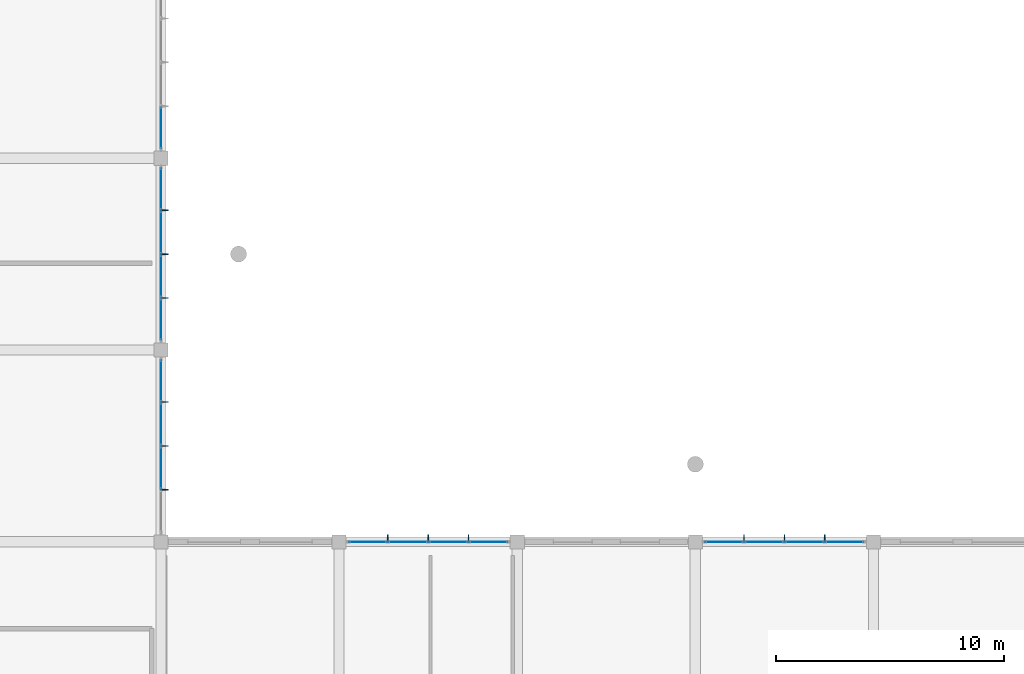
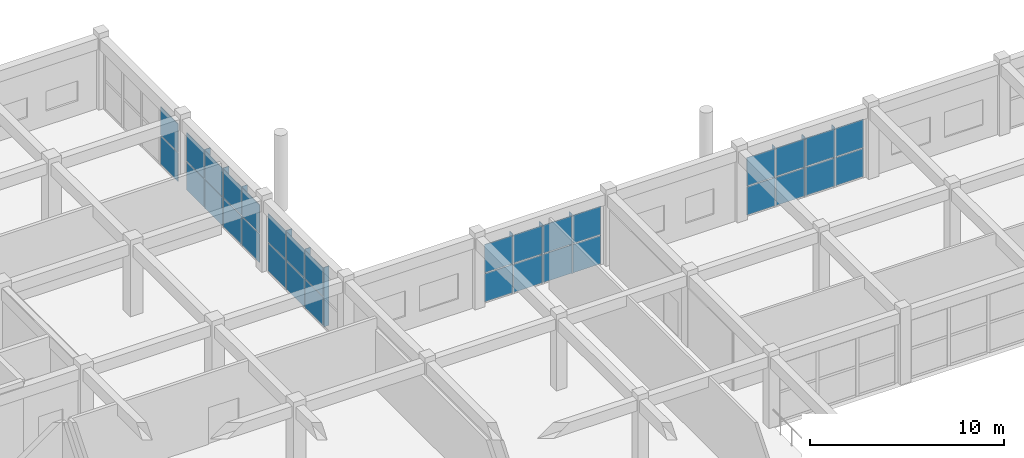
# One storey, part 143 of 167: 44 plates, 5 elements without a shape of their own.
"""IFC4 building model written with IfcOpenShell, lengths in metres."""

from ifc_helpers import new_model, si_unit, direction, frame, origin, origin_2d, place, context, subcontext, project, spatial, polyline, rectangle, outline, extrude, material, layer, layer_set, type_object, element, aggregate, save


model = new_model("IFC4")

# Units and contexts
model_context = context("Model", 3, precision=1e-05, world=origin(), true_north=direction((0.0, 1.0)))
body_context = subcontext(model_context, "Body", "Model", "MODEL_VIEW")
ifc_project = project(units=[si_unit("LENGTHUNIT", "METRE"), si_unit("AREAUNIT", "SQUARE_METRE"), si_unit("VOLUMEUNIT", "CUBIC_METRE"), si_unit("PLANEANGLEUNIT", "RADIAN"), si_unit("MASSUNIT", "GRAM", prefix="KILO")], contexts=[model_context])

# Site, building, storey
site_placement = place(None, origin())
site = spatial("IfcSite", under=ifc_project, at=site_placement, CompositionType="ELEMENT")
building_placement = place(site_placement, origin())
building = spatial("IfcBuilding", under=site, at=building_placement, Name="Zizhar Promenade General Hospital", CompositionType="ELEMENT")
storey_placement = place(building_placement, frame((0.0, 0.0, 9.60009765625)))
storey = spatial("IfcBuildingStorey", under=building, at=storey_placement, Name="L02", CompositionType="ELEMENT", Elevation=9.60009765625)

# Curtain wall, plates
ifc_material_1 = material(Name="Anodised aluminium 6063-T6 and low-E glass", Category="aluminium")
ifc_layer_1 = layer(ifc_material_1, 0.159912109375)
ifc_layer_set_1 = layer_set([ifc_layer_1], Name="Anodised aluminium 6063-T6 and low-E glass")
curtain_wall_type_1 = type_object("IfcCurtainWallType", Name="CW-DT-MOD1", PredefinedType="NOTDEFINED", material=ifc_layer_set_1)
curtain_wall_1_placement = place(storey_placement, origin())
curtain_wall_1 = element("IfcCurtainWall", 1, at=curtain_wall_1_placement, inside=storey, type_object=curtain_wall_type_1, Name="Surgical East Glazed Curtain Wall L02-13", PredefinedType="NOTDEFINED")
ifc_material_2 = material(Name="Low-E solar-control glass", Category="glass")
ifc_layer_2 = layer(ifc_material_2, 0.031982421875)
ifc_layer_set_2 = layer_set([ifc_layer_2], Name="Low-E solar-control glass")
plate_type_1 = type_object("IfcPlateType", Name="CWP-GLZ-32", PredefinedType="CURTAIN_PANEL", material=ifc_layer_set_2)
plate_1_placement = place(storey_placement, frame((132.60009765625, 116.260009765625, 0.06005859375), z_axis=(0.0, 0.0, 1.0), x_axis=(0.0, -1.0, 0.0)))
plate_1 = element("IfcPlate", 2, at=plate_1_placement, type_object=plate_type_1, Name="CW-07 panel 1.1", PredefinedType="CURTAIN_PANEL", context=body_context, shape_type="SweptSolid", body=[
    extrude(rectangle(XDim=1.800048828125, YDim=0.031982421875, at=origin_2d()), origin(), (0.0, 0.0, 1.0), 1.77490234375),
])
plate_2_placement = place(storey_placement, frame((132.60009765625, 116.260009765625, 1.89501953125), z_axis=(0.0, 0.0, 1.0), x_axis=(0.0, -1.0, 0.0)))
plate_2 = element("IfcPlate", 3, at=plate_2_placement, type_object=plate_type_1, Name="CW-07 panel 1.2", PredefinedType="CURTAIN_PANEL", context=body_context, shape_type="SweptSolid", body=[
    extrude(rectangle(XDim=1.800048828125, YDim=0.031982421875, at=origin_2d()), origin(), (0.0, 0.0, 1.0), 1.77490234375),
])
plate_3_placement = place(storey_placement, frame((132.60009765625, 114.360107421875, 0.06005859375), z_axis=(0.0, 0.0, 1.0), x_axis=(0.0, -1.0, 0.0)))
plate_3 = element("IfcPlate", 4, at=plate_3_placement, type_object=plate_type_1, Name="CW-07 panel 2.1", PredefinedType="CURTAIN_PANEL", context=body_context, shape_type="SweptSolid", body=[
    extrude(rectangle(XDim=1.840087890625, YDim=0.031982421875, at=origin_2d()), origin(), (0.0, 0.0, 1.0), 1.77490234375),
])
plate_4_placement = place(storey_placement, frame((132.60009765625, 114.360107421875, 1.89501953125), z_axis=(0.0, 0.0, 1.0), x_axis=(0.0, -1.0, 0.0)))
plate_4 = element("IfcPlate", 5, at=plate_4_placement, type_object=plate_type_1, Name="CW-07 panel 2.2", PredefinedType="CURTAIN_PANEL", context=body_context, shape_type="SweptSolid", body=[
    extrude(rectangle(XDim=1.840087890625, YDim=0.031982421875, at=origin_2d()), origin(), (0.0, 0.0, 1.0), 1.77490234375),
])
plate_5_placement = place(storey_placement, frame((132.60009765625, 112.43994140625, 0.06005859375), z_axis=(0.0, 0.0, 1.0), x_axis=(0.0, -1.0, 0.0)))
plate_5 = element("IfcPlate", 6, at=plate_5_placement, type_object=plate_type_1, Name="CW-07 panel 3.1", PredefinedType="CURTAIN_PANEL", context=body_context, shape_type="SweptSolid", body=[
    extrude(rectangle(XDim=1.840087890625, YDim=0.031982421875, at=origin_2d()), origin(), (0.0, 0.0, 1.0), 1.77490234375),
])
plate_6_placement = place(storey_placement, frame((132.60009765625, 112.43994140625, 1.89501953125), z_axis=(0.0, 0.0, 1.0), x_axis=(0.0, -1.0, 0.0)))
plate_6 = element("IfcPlate", 7, at=plate_6_placement, type_object=plate_type_1, Name="CW-07 panel 3.2", PredefinedType="CURTAIN_PANEL", context=body_context, shape_type="SweptSolid", body=[
    extrude(rectangle(XDim=1.840087890625, YDim=0.031982421875, at=origin_2d()), origin(), (0.0, 0.0, 1.0), 1.77490234375),
])
aggregate(curtain_wall_1, [plate_1, plate_2, plate_3, plate_4, plate_5, plate_6])

curtain_wall_2_placement = place(storey_placement, origin())
curtain_wall_2 = element("IfcCurtainWall", 8, at=curtain_wall_2_placement, inside=storey, type_object=curtain_wall_type_1, Name="Surgical East Glazed Curtain Wall L02-14", PredefinedType="NOTDEFINED")
plate_7_placement = place(storey_placement, frame((132.60009765625, 124.659912109375, 0.06005859375), z_axis=(0.0, 0.0, 1.0), x_axis=(0.0, -1.0, 0.0)))
plate_7 = element("IfcPlate", 9, at=plate_7_placement, type_object=plate_type_1, Name="CW-07 panel 1.1", PredefinedType="CURTAIN_PANEL", context=body_context, shape_type="SweptSolid", body=[
    extrude(rectangle(XDim=1.800048828125, YDim=0.031982421875, at=origin_2d()), origin(), (0.0, 0.0, 1.0), 1.77490234375),
])
plate_8_placement = place(storey_placement, frame((132.60009765625, 124.659912109375, 1.89501953125), z_axis=(0.0, 0.0, 1.0), x_axis=(0.0, -1.0, 0.0)))
plate_8 = element("IfcPlate", 10, at=plate_8_placement, type_object=plate_type_1, Name="CW-07 panel 1.2", PredefinedType="CURTAIN_PANEL", context=body_context, shape_type="SweptSolid", body=[
    extrude(rectangle(XDim=1.800048828125, YDim=0.031982421875, at=origin_2d()), origin(), (0.0, 0.0, 1.0), 1.77490234375),
])
plate_9_placement = place(storey_placement, frame((132.60009765625, 122.760009765625, 0.06005859375), z_axis=(0.0, 0.0, 1.0), x_axis=(0.0, -1.0, 0.0)))
plate_9 = element("IfcPlate", 11, at=plate_9_placement, type_object=plate_type_1, Name="CW-07 panel 2.1", PredefinedType="CURTAIN_PANEL", context=body_context, shape_type="SweptSolid", body=[
    extrude(rectangle(XDim=1.840087890625, YDim=0.031982421875, at=origin_2d()), origin(), (0.0, 0.0, 1.0), 1.77490234375),
])
plate_10_placement = place(storey_placement, frame((132.60009765625, 122.760009765625, 1.89501953125), z_axis=(0.0, 0.0, 1.0), x_axis=(0.0, -1.0, 0.0)))
plate_10 = element("IfcPlate", 12, at=plate_10_placement, type_object=plate_type_1, Name="CW-07 panel 2.2", PredefinedType="CURTAIN_PANEL", context=body_context, shape_type="SweptSolid", body=[
    extrude(rectangle(XDim=1.840087890625, YDim=0.031982421875, at=origin_2d()), origin(), (0.0, 0.0, 1.0), 1.77490234375),
])
plate_11_placement = place(storey_placement, frame((132.60009765625, 120.840087890625, 0.06005859375), z_axis=(0.0, 0.0, 1.0), x_axis=(0.0, -1.0, 0.0)))
plate_11 = element("IfcPlate", 13, at=plate_11_placement, type_object=plate_type_1, Name="CW-07 panel 3.1", PredefinedType="CURTAIN_PANEL", context=body_context, shape_type="SweptSolid", body=[
    extrude(rectangle(XDim=1.840087890625, YDim=0.031982421875, at=origin_2d()), origin(), (0.0, 0.0, 1.0), 1.77490234375),
])
plate_12_placement = place(storey_placement, frame((132.60009765625, 120.840087890625, 1.89501953125), z_axis=(0.0, 0.0, 1.0), x_axis=(0.0, -1.0, 0.0)))
plate_12 = element("IfcPlate", 14, at=plate_12_placement, type_object=plate_type_1, Name="CW-07 panel 3.2", PredefinedType="CURTAIN_PANEL", context=body_context, shape_type="SweptSolid", body=[
    extrude(rectangle(XDim=1.840087890625, YDim=0.031982421875, at=origin_2d()), origin(), (0.0, 0.0, 1.0), 1.77490234375),
])
plate_13_placement = place(storey_placement, frame((132.60009765625, 118.93994140625, 0.06005859375), z_axis=(0.0, 0.0, 1.0), x_axis=(0.0, -1.0, 0.0)))
plate_13 = element("IfcPlate", 15, at=plate_13_placement, type_object=plate_type_1, Name="CW-07 panel 4.1", PredefinedType="CURTAIN_PANEL", context=body_context, shape_type="SweptSolid", body=[
    extrude(rectangle(XDim=1.800048828125, YDim=0.031982421875, at=origin_2d()), origin(), (0.0, 0.0, 1.0), 1.77490234375),
])
plate_14_placement = place(storey_placement, frame((132.60009765625, 118.93994140625, 1.89501953125), z_axis=(0.0, 0.0, 1.0), x_axis=(0.0, -1.0, 0.0)))
plate_14 = element("IfcPlate", 16, at=plate_14_placement, type_object=plate_type_1, Name="CW-07 panel 4.2", PredefinedType="CURTAIN_PANEL", context=body_context, shape_type="SweptSolid", body=[
    extrude(rectangle(XDim=1.800048828125, YDim=0.031982421875, at=origin_2d()), origin(), (0.0, 0.0, 1.0), 1.77490234375),
])
aggregate(curtain_wall_2, [plate_7, plate_8, plate_9, plate_10, plate_11, plate_12, plate_13, plate_14])

curtain_wall_3_placement = place(storey_placement, origin())
curtain_wall_3 = element("IfcCurtainWall", 17, at=curtain_wall_3_placement, inside=storey, type_object=curtain_wall_type_1, Name="Surgical East Glazed Curtain Wall L02-15", PredefinedType="NOTDEFINED")
plate_15_placement = place(storey_placement, frame((132.60009765625, 127.340087890625, 0.06005859375), z_axis=(0.0, 0.0, 1.0), x_axis=(0.0, -1.0, 0.0)))
plate_15 = element("IfcPlate", 18, at=plate_15_placement, type_object=plate_type_1, Name="CW-07 panel 4.1", PredefinedType="CURTAIN_PANEL", context=body_context, shape_type="SweptSolid", body=[
    extrude(rectangle(XDim=1.800048828125, YDim=0.031982421875, at=origin_2d()), origin(), (0.0, 0.0, 1.0), 1.77490234375),
])
plate_16_placement = place(storey_placement, frame((132.60009765625, 127.340087890625, 1.89501953125), z_axis=(0.0, 0.0, 1.0), x_axis=(0.0, -1.0, 0.0)))
plate_16 = element("IfcPlate", 19, at=plate_16_placement, type_object=plate_type_1, Name="CW-07 panel 4.2", PredefinedType="CURTAIN_PANEL", context=body_context, shape_type="SweptSolid", body=[
    extrude(rectangle(XDim=1.800048828125, YDim=0.031982421875, at=origin_2d()), origin(), (0.0, 0.0, 1.0), 1.77490234375),
])
aggregate(curtain_wall_3, [plate_15, plate_16])

ifc_material_3 = material(Name="Anodised aluminium 6063-T6 and low-E glass", Category="aluminium")
ifc_layer_3 = layer(ifc_material_3, 0.159912109375)
ifc_layer_set_3 = layer_set([ifc_layer_3], Name="Anodised aluminium 6063-T6 and low-E glass")
curtain_wall_type_2 = type_object("IfcCurtainWallType", Name="CW-CLN-EXT", PredefinedType="NOTDEFINED", material=ifc_layer_set_3)
curtain_wall_4_placement = place(storey_placement, origin())
curtain_wall_4 = element("IfcCurtainWall", 20, at=curtain_wall_4_placement, inside=storey, type_object=curtain_wall_type_2, Name="Outpatient North Curtain Wall L02-18", PredefinedType="NOTDEFINED")
plate_17_placement = place(storey_placement, frame((141.6650390625, 109.199951171875, 0.06005859375), z_axis=(0.0, 0.0, 1.0), x_axis=(1.0, 0.0, 0.0)))
plate_17 = element("IfcPlate", 21, at=plate_17_placement, type_object=plate_type_1, Name="CW-09 panel 1.1", PredefinedType="CURTAIN_PANEL", context=body_context, shape_type="SweptSolid", body=[
    extrude(rectangle(XDim=1.64990234375, YDim=0.031982421875, at=origin_2d()), origin(), (0.0, 0.0, 1.0), 1.77490234375),
])
plate_18_placement = place(storey_placement, frame((141.6650390625, 109.199951171875, 1.89501953125), z_axis=(0.0, 0.0, 1.0), x_axis=(1.0, 0.0, 0.0)))
plate_18 = element("IfcPlate", 22, at=plate_18_placement, type_object=plate_type_1, Name="CW-09 panel 1.2", PredefinedType="CURTAIN_PANEL", context=body_context, shape_type="SweptSolid", body=[
    extrude(rectangle(XDim=1.64990234375, YDim=0.031982421875, at=origin_2d()), origin(), (0.0, 0.0, 1.0), 1.77490234375),
])
plate_19_placement = place(storey_placement, frame((143.4150390625, 109.199951171875, 0.06005859375), z_axis=(0.0, 0.0, 1.0), x_axis=(1.0, 0.0, 0.0)))
plate_19 = element("IfcPlate", 23, at=plate_19_placement, type_object=plate_type_1, Name="CW-09 panel 2.1", PredefinedType="CURTAIN_PANEL", context=body_context, shape_type="SweptSolid", body=[
    extrude(rectangle(XDim=1.68994140625, YDim=0.031982421875, at=origin_2d()), origin(), (0.0, 0.0, 1.0), 1.77490234375),
])
plate_20_placement = place(storey_placement, frame((143.4150390625, 109.199951171875, 1.89501953125), z_axis=(0.0, 0.0, 1.0), x_axis=(1.0, 0.0, 0.0)))
plate_20 = element("IfcPlate", 24, at=plate_20_placement, type_object=plate_type_1, Name="CW-09 panel 2.2", PredefinedType="CURTAIN_PANEL", context=body_context, shape_type="SweptSolid", body=[
    extrude(rectangle(XDim=1.68994140625, YDim=0.031982421875, at=origin_2d()), origin(), (0.0, 0.0, 1.0), 1.77490234375),
])
plate_21_placement = place(storey_placement, frame((145.18505859375, 109.199951171875, 0.06005859375), z_axis=(0.0, 0.0, 1.0), x_axis=(1.0, 0.0, 0.0)))
plate_21 = element("IfcPlate", 25, at=plate_21_placement, type_object=plate_type_1, Name="CW-09 panel 3.1", PredefinedType="CURTAIN_PANEL", context=body_context, shape_type="SweptSolid", body=[
    extrude(rectangle(XDim=1.68994140625, YDim=0.031982421875, at=origin_2d()), origin(), (0.0, 0.0, 1.0), 1.77490234375),
])
plate_22_placement = place(storey_placement, frame((145.18505859375, 109.199951171875, 1.89501953125), z_axis=(0.0, 0.0, 1.0), x_axis=(1.0, 0.0, 0.0)))
plate_22 = element("IfcPlate", 26, at=plate_22_placement, type_object=plate_type_1, Name="CW-09 panel 3.2", PredefinedType="CURTAIN_PANEL", context=body_context, shape_type="SweptSolid", body=[
    extrude(rectangle(XDim=1.68994140625, YDim=0.031982421875, at=origin_2d()), origin(), (0.0, 0.0, 1.0), 1.77490234375),
])
plate_23_placement = place(storey_placement, frame((146.93505859375, 109.199951171875, 0.06005859375), z_axis=(0.0, 0.0, 1.0), x_axis=(1.0, 0.0, 0.0)))
plate_23 = element("IfcPlate", 27, at=plate_23_placement, type_object=plate_type_1, Name="CW-09 panel 4.1", PredefinedType="CURTAIN_PANEL", context=body_context, shape_type="SweptSolid", body=[
    extrude(rectangle(XDim=1.64990234375, YDim=0.031982421875, at=origin_2d()), origin(), (0.0, 0.0, 1.0), 1.77490234375),
])
plate_24_placement = place(storey_placement, frame((146.93505859375, 109.199951171875, 1.89501953125), z_axis=(0.0, 0.0, 1.0), x_axis=(1.0, 0.0, 0.0)))
plate_24 = element("IfcPlate", 28, at=plate_24_placement, type_object=plate_type_1, Name="CW-09 panel 4.2", PredefinedType="CURTAIN_PANEL", context=body_context, shape_type="SweptSolid", body=[
    extrude(rectangle(XDim=1.64990234375, YDim=0.031982421875, at=origin_2d()), origin(), (0.0, 0.0, 1.0), 1.77490234375),
])
aggregate(curtain_wall_4, [plate_17, plate_18, plate_19, plate_20, plate_21, plate_22, plate_23, plate_24])

curtain_wall_5_placement = place(storey_placement, origin())
curtain_wall_5 = element("IfcCurtainWall", 29, at=curtain_wall_5_placement, inside=storey, type_object=curtain_wall_type_2, Name="Outpatient North Curtain Wall L02-20", PredefinedType="NOTDEFINED")
plate_25_placement = place(storey_placement, frame((157.264892578125, 109.199951171875, 0.06005859375), z_axis=(0.0, 0.0, 1.0), x_axis=(1.0, 0.0, 0.0)))
plate_25 = element("IfcPlate", 30, at=plate_25_placement, type_object=plate_type_1, Name="CW-09 panel 1.1", PredefinedType="CURTAIN_PANEL", context=body_context, shape_type="SweptSolid", body=[
    extrude(rectangle(XDim=1.64990234375, YDim=0.031982421875, at=origin_2d()), origin(), (0.0, 0.0, 1.0), 1.77490234375),
])
plate_26_placement = place(storey_placement, frame((157.264892578125, 109.199951171875, 1.89501953125), z_axis=(0.0, 0.0, 1.0), x_axis=(1.0, 0.0, 0.0)))
plate_26 = element("IfcPlate", 31, at=plate_26_placement, type_object=plate_type_1, Name="CW-09 panel 1.2", PredefinedType="CURTAIN_PANEL", context=body_context, shape_type="SweptSolid", body=[
    extrude(rectangle(XDim=1.64990234375, YDim=0.031982421875, at=origin_2d()), origin(), (0.0, 0.0, 1.0), 1.77490234375),
])
plate_27_placement = place(storey_placement, frame((159.014892578125, 109.199951171875, 0.06005859375), z_axis=(0.0, 0.0, 1.0), x_axis=(1.0, 0.0, 0.0)))
plate_27 = element("IfcPlate", 32, at=plate_27_placement, type_object=plate_type_1, Name="CW-09 panel 2.1", PredefinedType="CURTAIN_PANEL", context=body_context, shape_type="SweptSolid", body=[
    extrude(rectangle(XDim=1.68994140625, YDim=0.031982421875, at=origin_2d()), origin(), (0.0, 0.0, 1.0), 1.77490234375),
])
plate_28_placement = place(storey_placement, frame((159.014892578125, 109.199951171875, 1.89501953125), z_axis=(0.0, 0.0, 1.0), x_axis=(1.0, 0.0, 0.0)))
plate_28 = element("IfcPlate", 33, at=plate_28_placement, type_object=plate_type_1, Name="CW-09 panel 2.2", PredefinedType="CURTAIN_PANEL", context=body_context, shape_type="SweptSolid", body=[
    extrude(rectangle(XDim=1.68994140625, YDim=0.031982421875, at=origin_2d()), origin(), (0.0, 0.0, 1.0), 1.77490234375),
])
plate_29_placement = place(storey_placement, frame((160.784912109375, 109.199951171875, 0.06005859375), z_axis=(0.0, 0.0, 1.0), x_axis=(1.0, 0.0, 0.0)))
plate_29 = element("IfcPlate", 34, at=plate_29_placement, type_object=plate_type_1, Name="CW-09 panel 3.1", PredefinedType="CURTAIN_PANEL", context=body_context, shape_type="SweptSolid", body=[
    extrude(rectangle(XDim=1.68994140625, YDim=0.031982421875, at=origin_2d()), origin(), (0.0, 0.0, 1.0), 1.77490234375),
])
plate_30_placement = place(storey_placement, frame((160.784912109375, 109.199951171875, 1.89501953125), z_axis=(0.0, 0.0, 1.0), x_axis=(1.0, 0.0, 0.0)))
plate_30 = element("IfcPlate", 35, at=plate_30_placement, type_object=plate_type_1, Name="CW-09 panel 3.2", PredefinedType="CURTAIN_PANEL", context=body_context, shape_type="SweptSolid", body=[
    extrude(rectangle(XDim=1.68994140625, YDim=0.031982421875, at=origin_2d()), origin(), (0.0, 0.0, 1.0), 1.77490234375),
])
plate_31_placement = place(storey_placement, frame((162.534912109375, 109.199951171875, 0.06005859375), z_axis=(0.0, 0.0, 1.0), x_axis=(1.0, 0.0, 0.0)))
plate_31 = element("IfcPlate", 36, at=plate_31_placement, type_object=plate_type_1, Name="CW-09 panel 4.1", PredefinedType="CURTAIN_PANEL", context=body_context, shape_type="SweptSolid", body=[
    extrude(rectangle(XDim=1.64990234375, YDim=0.031982421875, at=origin_2d()), origin(), (0.0, 0.0, 1.0), 1.77490234375),
])
plate_32_placement = place(storey_placement, frame((162.534912109375, 109.199951171875, 1.89501953125), z_axis=(0.0, 0.0, 1.0), x_axis=(1.0, 0.0, 0.0)))
plate_32 = element("IfcPlate", 37, at=plate_32_placement, type_object=plate_type_1, Name="CW-09 panel 4.2", PredefinedType="CURTAIN_PANEL", context=body_context, shape_type="SweptSolid", body=[
    extrude(rectangle(XDim=1.64990234375, YDim=0.031982421875, at=origin_2d()), origin(), (0.0, 0.0, 1.0), 1.77490234375),
])
aggregate(curtain_wall_5, [plate_25, plate_26, plate_27, plate_28, plate_29, plate_30, plate_31, plate_32])

# Plates
ifc_material_4 = material(Name="Anodised aluminium 6063-T6", Category="aluminium")
ifc_layer_4 = layer(ifc_material_4, 0.033935546875)
ifc_layer_set_4 = layer_set([ifc_layer_4], Name="Anodised aluminium 6063-T6")
plate_type_2 = type_object("IfcPlateType", Name="FIN-ALU-320", PredefinedType="USERDEFINED", material=ifc_layer_set_4)
plate_33_placement = place(storey_placement, origin())
element("IfcPlate", 38, at=plate_33_placement, inside=storey, type_object=plate_type_2, Name="Surgical East Glazed Curtain Wall L02-13 Solar Fin 1", ObjectType="SOLAR_SHADE", PredefinedType="USERDEFINED", context=body_context, shape_type="SweptSolid", body=[
    extrude(outline(polyline([(132.60009765625, 115.3369140625), (132.60009765625, 115.302978515625), (132.919921875, 115.302978515625), (132.919921875, 115.3369140625), (132.60009765625, 115.3369140625)])), origin(), (0.0, 0.0, 1.0), 3.72998046875),
])
plate_34_placement = place(storey_placement, origin())
element("IfcPlate", 39, at=plate_34_placement, inside=storey, type_object=plate_type_2, Name="Surgical East Glazed Curtain Wall L02-13 Solar Fin 2", ObjectType="SOLAR_SHADE", PredefinedType="USERDEFINED", context=body_context, shape_type="SweptSolid", body=[
    extrude(outline(polyline([(132.60009765625, 113.4169921875), (132.60009765625, 113.383056640625), (132.919921875, 113.383056640625), (132.919921875, 113.4169921875), (132.60009765625, 113.4169921875)])), origin(), (0.0, 0.0, 1.0), 3.72998046875),
])
plate_35_placement = place(storey_placement, origin())
element("IfcPlate", 40, at=plate_35_placement, inside=storey, type_object=plate_type_2, Name="Surgical East Glazed Curtain Wall L02-13 Solar Fin 3", ObjectType="SOLAR_SHADE", PredefinedType="USERDEFINED", context=body_context, shape_type="SweptSolid", body=[
    extrude(outline(polyline([(132.60009765625, 111.4970703125), (132.60009765625, 111.462890625), (132.919921875, 111.462890625), (132.919921875, 111.4970703125), (132.60009765625, 111.4970703125)])), origin(), (0.0, 0.0, 1.0), 3.72998046875),
])
plate_36_placement = place(storey_placement, origin())
element("IfcPlate", 41, at=plate_36_placement, inside=storey, type_object=plate_type_2, Name="Surgical East Glazed Curtain Wall L02-14 Solar Fin 1", ObjectType="SOLAR_SHADE", PredefinedType="USERDEFINED", context=body_context, shape_type="SweptSolid", body=[
    extrude(outline(polyline([(132.60009765625, 123.737060546875), (132.60009765625, 123.702880859375), (132.919921875, 123.702880859375), (132.919921875, 123.737060546875), (132.60009765625, 123.737060546875)])), origin(), (0.0, 0.0, 1.0), 3.72998046875),
])
plate_37_placement = place(storey_placement, origin())
element("IfcPlate", 42, at=plate_37_placement, inside=storey, type_object=plate_type_2, Name="Surgical East Glazed Curtain Wall L02-14 Solar Fin 2", ObjectType="SOLAR_SHADE", PredefinedType="USERDEFINED", context=body_context, shape_type="SweptSolid", body=[
    extrude(outline(polyline([(132.60009765625, 121.81689453125), (132.60009765625, 121.782958984375), (132.919921875, 121.782958984375), (132.919921875, 121.81689453125), (132.60009765625, 121.81689453125)])), origin(), (0.0, 0.0, 1.0), 3.72998046875),
])
plate_38_placement = place(storey_placement, origin())
element("IfcPlate", 43, at=plate_38_placement, inside=storey, type_object=plate_type_2, Name="Surgical East Glazed Curtain Wall L02-14 Solar Fin 3", ObjectType="SOLAR_SHADE", PredefinedType="USERDEFINED", context=body_context, shape_type="SweptSolid", body=[
    extrude(outline(polyline([(132.60009765625, 119.89697265625), (132.60009765625, 119.863037109375), (132.919921875, 119.863037109375), (132.919921875, 119.89697265625), (132.60009765625, 119.89697265625)])), origin(), (0.0, 0.0, 1.0), 3.72998046875),
])
plate_39_placement = place(storey_placement, origin())
element("IfcPlate", 44, at=plate_39_placement, inside=storey, type_object=plate_type_2, Name="Outpatient North Curtain Wall L02-18 Solar Fin 1", ObjectType="SOLAR_SHADE", PredefinedType="USERDEFINED", context=body_context, shape_type="SweptSolid", body=[
    extrude(outline(polyline([(142.512939453125, 109.199951171875), (142.547119140625, 109.199951171875), (142.547119140625, 109.52001953125), (142.512939453125, 109.52001953125), (142.512939453125, 109.199951171875)])), origin(), (0.0, 0.0, 1.0), 3.72998046875),
])
plate_40_placement = place(storey_placement, origin())
element("IfcPlate", 45, at=plate_40_placement, inside=storey, type_object=plate_type_2, Name="Outpatient North Curtain Wall L02-18 Solar Fin 2", ObjectType="SOLAR_SHADE", PredefinedType="USERDEFINED", context=body_context, shape_type="SweptSolid", body=[
    extrude(outline(polyline([(144.282958984375, 109.199951171875), (144.31689453125, 109.199951171875), (144.31689453125, 109.52001953125), (144.282958984375, 109.52001953125), (144.282958984375, 109.199951171875)])), origin(), (0.0, 0.0, 1.0), 3.72998046875),
])
plate_41_placement = place(storey_placement, origin())
element("IfcPlate", 46, at=plate_41_placement, inside=storey, type_object=plate_type_2, Name="Outpatient North Curtain Wall L02-18 Solar Fin 3", ObjectType="SOLAR_SHADE", PredefinedType="USERDEFINED", context=body_context, shape_type="SweptSolid", body=[
    extrude(outline(polyline([(146.052978515625, 109.199951171875), (146.0869140625, 109.199951171875), (146.0869140625, 109.52001953125), (146.052978515625, 109.52001953125), (146.052978515625, 109.199951171875)])), origin(), (0.0, 0.0, 1.0), 3.72998046875),
])
plate_42_placement = place(storey_placement, origin())
element("IfcPlate", 47, at=plate_42_placement, inside=storey, type_object=plate_type_2, Name="Outpatient North Curtain Wall L02-20 Solar Fin 1", ObjectType="SOLAR_SHADE", PredefinedType="USERDEFINED", context=body_context, shape_type="SweptSolid", body=[
    extrude(outline(polyline([(158.113037109375, 109.199951171875), (158.14697265625, 109.199951171875), (158.14697265625, 109.52001953125), (158.113037109375, 109.52001953125), (158.113037109375, 109.199951171875)])), origin(), (0.0, 0.0, 1.0), 3.72998046875),
])
plate_43_placement = place(storey_placement, origin())
element("IfcPlate", 48, at=plate_43_placement, inside=storey, type_object=plate_type_2, Name="Outpatient North Curtain Wall L02-20 Solar Fin 2", ObjectType="SOLAR_SHADE", PredefinedType="USERDEFINED", context=body_context, shape_type="SweptSolid", body=[
    extrude(outline(polyline([(159.883056640625, 109.199951171875), (159.9169921875, 109.199951171875), (159.9169921875, 109.52001953125), (159.883056640625, 109.52001953125), (159.883056640625, 109.199951171875)])), origin(), (0.0, 0.0, 1.0), 3.72998046875),
])
plate_44_placement = place(storey_placement, origin())
element("IfcPlate", 49, at=plate_44_placement, inside=storey, type_object=plate_type_2, Name="Outpatient North Curtain Wall L02-20 Solar Fin 3", ObjectType="SOLAR_SHADE", PredefinedType="USERDEFINED", context=body_context, shape_type="SweptSolid", body=[
    extrude(outline(polyline([(161.653076171875, 109.199951171875), (161.68701171875, 109.199951171875), (161.68701171875, 109.52001953125), (161.653076171875, 109.52001953125), (161.653076171875, 109.199951171875)])), origin(), (0.0, 0.0, 1.0), 3.72998046875),
])

save(model, "model.ifc")
